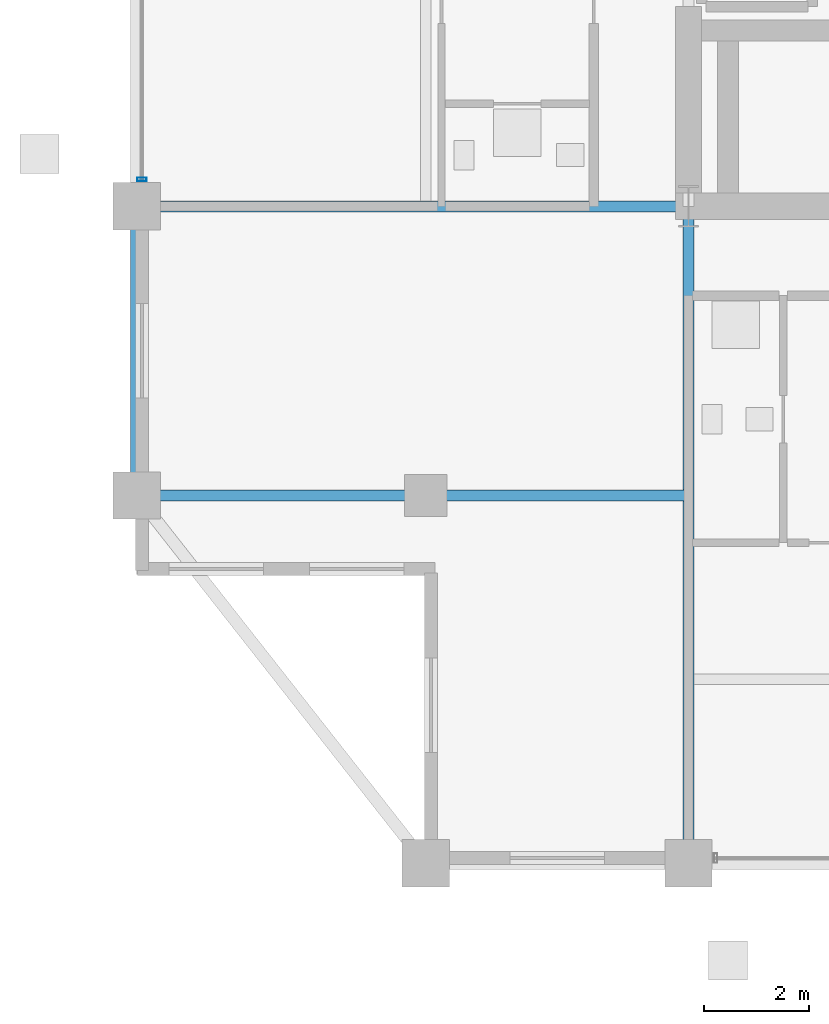
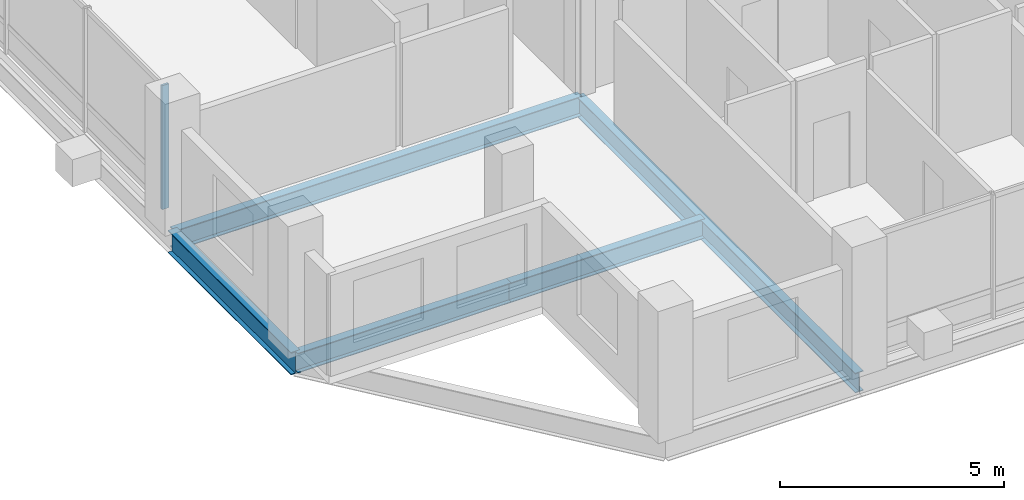
# One storey, part 3 of 21: 5 beams, 1 member, 1 element without a shape of its own.
"""IFC4 building model written with IfcOpenShell, lengths in metres."""

from ifc_helpers import new_model, si_unit, direction, frame, origin, origin_2d, place, context, subcontext, project, spatial, hollow_rectangle, i_section, extrude, material, layer, layer_set, material_profile, profile_set, type_object, element, aggregate, save


model = new_model("IFC4")

# Units and contexts
model_context = context("Model", 3, precision=1e-05, world=origin(), true_north=direction((0.0, 1.0)))
body_context = subcontext(model_context, "Body", "Model", "MODEL_VIEW")
ifc_project = project(units=[si_unit("LENGTHUNIT", "METRE"), si_unit("AREAUNIT", "SQUARE_METRE"), si_unit("VOLUMEUNIT", "CUBIC_METRE"), si_unit("PLANEANGLEUNIT", "RADIAN"), si_unit("MASSUNIT", "GRAM", prefix="KILO")], contexts=[model_context])

# Site, building, storey
site_placement = place(None, origin())
site = spatial("IfcSite", under=ifc_project, at=site_placement, CompositionType="ELEMENT")
building_placement = place(site_placement, origin())
building = spatial("IfcBuilding", under=site, at=building_placement, Name="Barlavira Tower and Art Museum", CompositionType="ELEMENT")
storey_placement = place(building_placement, frame((0.0, 0.0, 297.89990234375)))
storey = spatial("IfcBuildingStorey", under=building, at=storey_placement, Name="L78", CompositionType="ELEMENT", Elevation=297.89990234375)

# Curtain wall, member
ifc_material_1 = material(Name="Low-iron coastal laminated glass", Category="glass")
ifc_layer = layer(ifc_material_1, 0.2099609375, Name="Low-iron coastal laminated glass")
ifc_layer_set = layer_set([ifc_layer], Name="Low-iron coastal laminated glass")
curtain_wall_type = type_object("IfcCurtainWallType", Name="Pale-Metal Unitised Curtain Wall Zone 4", PredefinedType="NOTDEFINED", material=ifc_layer_set)
curtain_wall_placement = place(storey_placement, origin())
curtain_wall = element("IfcCurtainWall", 1, at=curtain_wall_placement, inside=storey, type_object=curtain_wall_type, Name="L78 Curtain Wall CW4-L78-W-B3", PredefinedType="NOTDEFINED")
ifc_material_2 = material(Name="Pale anodised aluminium", Category="aluminium")
ifc_material_profile_1 = material_profile(ifc_material_2, hollow_rectangle(XDim=0.06494140625, YDim=0.179931640625, WallThickness=0.00390625, at=origin_2d()), Name="ALU-MULL 65x180x4")
ifc_profile_set_1 = profile_set([ifc_material_profile_1], Name="Pale anodised aluminium")
member_type = type_object("IfcMemberType", Name="Curtain Wall Pale-Metal Mullion 65x180", PredefinedType="MULLION", material=ifc_profile_set_1)
member_placement = place(storey_placement, frame((-16.89990234375, -6.985107421875, 0.0), z_axis=(0.0, 0.0, 1.0), x_axis=(0.0, -1.0, 0.0)))
member = element("IfcMember", 2, at=member_placement, type_object=member_type, Name="CW4-L78-W-B3 Mullion 4", PredefinedType="MULLION", context=body_context, shape_type="SweptSolid", body=[
    extrude(hollow_rectangle(XDim=0.06494140625, YDim=0.179931640625, WallThickness=0.00390625, at=origin_2d()), origin(), (0.0, 0.0, 1.0), 3.380126953125),
])
aggregate(curtain_wall, [member])

# Beams
ifc_material_3 = material(Name="Steel S355", Category="steel")
ifc_material_profile_2 = material_profile(ifc_material_3, i_section(OverallWidth=0.22998046875, OverallDepth=0.616943359375, WebThickness=0.01318359375, FlangeThickness=0.022216796875, at=origin_2d()), Name="W610x140.0")
ifc_profile_set_2 = profile_set([ifc_material_profile_2], Name="Steel S355")
beam_type_1 = type_object("IfcBeamType", Name="Upper Shaft Spandrel Edge Beam W610x140 Steel S355", PredefinedType="SPANDREL", material=ifc_profile_set_2)
beam_1_placement = place(storey_placement, frame((-17.0, -13.0, -0.5283203125), z_axis=(0.0, 1.0, 0.0), x_axis=(-1.0, 0.0, 0.0)))
element("IfcBeam", 3, at=beam_1_placement, inside=storey, type_object=beam_type_1, Name="L78 Spandrel 15", PredefinedType="SPANDREL", context=body_context, shape_type="SweptSolid", body=[
    extrude(i_section(OverallWidth=0.22998046875, OverallDepth=0.616943359375, WebThickness=0.01318359375, FlangeThickness=0.022216796875, at=origin_2d()), origin(), (0.0, 0.0, 1.0), 5.5),
])
ifc_material_profile_3 = material_profile(ifc_material_3, i_section(OverallWidth=0.2109375, OverallDepth=0.5390625, WebThickness=0.01171875, FlangeThickness=0.018798828125, at=origin_2d()), Name="W530x109.0")
ifc_profile_set_3 = profile_set([ifc_material_profile_3], Name="Steel S355")
beam_type_2 = type_object("IfcBeamType", Name="Zone 3-4 Primary Floor Girder W530x109 Steel S355", PredefinedType="BEAM", material=ifc_profile_set_3)
beam_2_placement = place(storey_placement, frame((-6.5, -20.0, -0.489501953125), z_axis=(0.0, 1.0, 0.0), x_axis=(-1.0, 0.0, 0.0)))
element("IfcBeam", 4, at=beam_2_placement, inside=storey, type_object=beam_type_2, Name="L78 Girder R-S1", PredefinedType="BEAM", context=body_context, shape_type="SweptSolid", body=[
    extrude(i_section(OverallWidth=0.2109375, OverallDepth=0.5390625, WebThickness=0.01171875, FlangeThickness=0.018798828125, at=origin_2d()), origin(), (0.0, 0.0, 1.0), 12.5),
])
beam_3_placement = place(storey_placement, frame((-17.0, -7.5, -0.489501953125), z_axis=(1.0, 0.0, 0.0), x_axis=(0.0, 1.0, 0.0)))
element("IfcBeam", 5, at=beam_3_placement, inside=storey, type_object=beam_type_2, Name="L78 Girder R-W1", PredefinedType="BEAM", context=body_context, shape_type="SweptSolid", body=[
    extrude(i_section(OverallWidth=0.2109375, OverallDepth=0.5390625, WebThickness=0.01171875, FlangeThickness=0.018798828125, at=origin_2d()), origin(), (0.0, 0.0, 1.0), 10.5),
])
beam_4_placement = place(storey_placement, frame((-17.0, -13.0, -0.489501953125), z_axis=(1.0, 0.0, 0.0), x_axis=(0.0, 1.0, 0.0)))
element("IfcBeam", 6, at=beam_4_placement, inside=storey, type_object=beam_type_2, Name="L78 Girder I-S1", PredefinedType="BEAM", context=body_context, shape_type="SweptSolid", body=[
    extrude(i_section(OverallWidth=0.2109375, OverallDepth=0.5390625, WebThickness=0.01171875, FlangeThickness=0.018798828125, at=origin_2d()), origin(), (0.0, 0.0, 1.0), 5.5),
])
beam_5_placement = place(storey_placement, frame((-11.5, -13.0, -0.489501953125), z_axis=(1.0, 0.0, 0.0), x_axis=(0.0, 1.0, 0.0)))
element("IfcBeam", 7, at=beam_5_placement, inside=storey, type_object=beam_type_2, Name="L78 Girder I-S2", PredefinedType="BEAM", context=body_context, shape_type="SweptSolid", body=[
    extrude(i_section(OverallWidth=0.2109375, OverallDepth=0.5390625, WebThickness=0.01171875, FlangeThickness=0.018798828125, at=origin_2d()), origin(), (0.0, 0.0, 1.0), 5.0),
])

save(model, "model.ifc")
